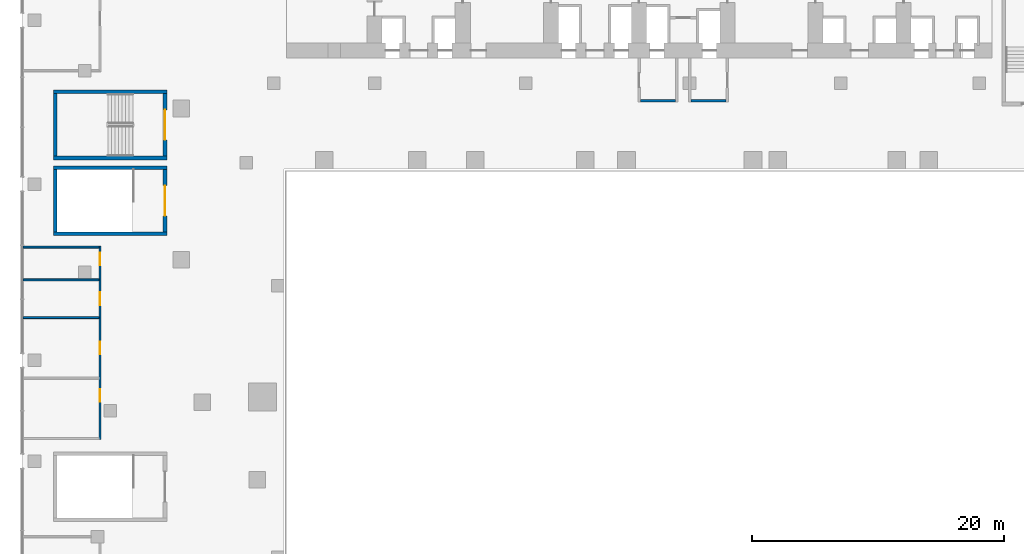
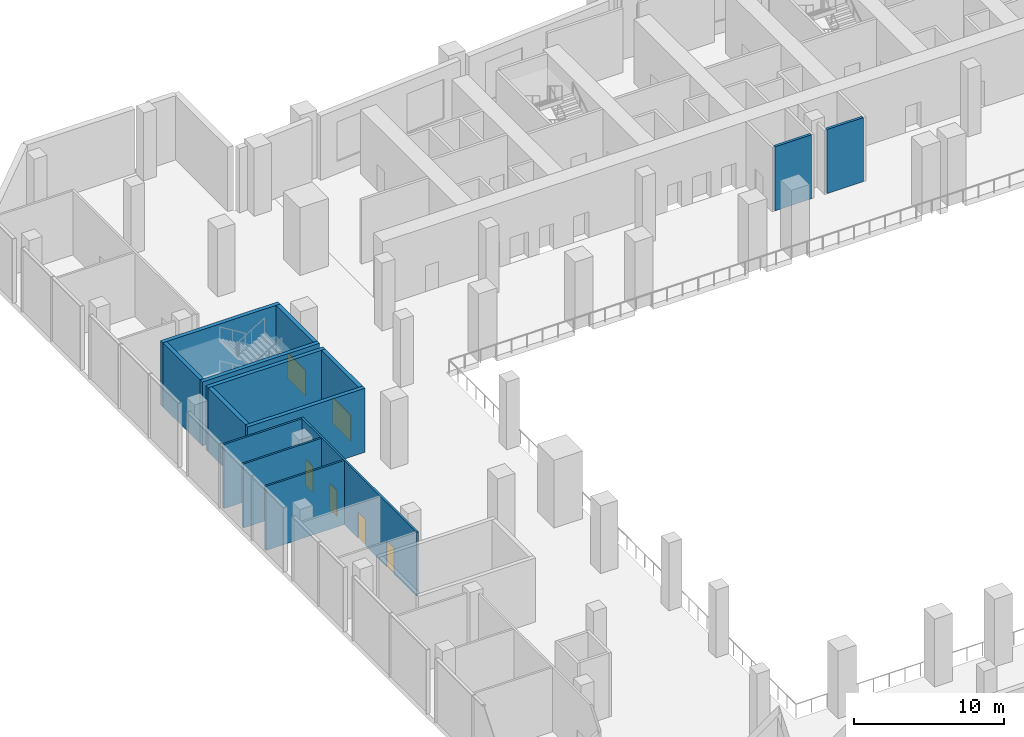
# One storey, part 12 of 25: 14 walls, 6 doors, 6 openings.
"""IFC4 building model written with IfcOpenShell, lengths in metres."""

from ifc_helpers import new_model, si_unit, direction, frame, frame_2d, origin, place, context, subcontext, project, spatial, rectangle, extrude, material, layer, layer_set, type_object, element, fill, save


model = new_model("IFC4")

# Units and contexts
model_context = context("Model", 3, precision=1e-05, world=origin(), true_north=direction((0.0, 1.0)))
body_context = subcontext(model_context, "Body", "Model", "MODEL_VIEW")
ifc_project = project(units=[si_unit("LENGTHUNIT", "METRE"), si_unit("AREAUNIT", "SQUARE_METRE"), si_unit("VOLUMEUNIT", "CUBIC_METRE"), si_unit("PLANEANGLEUNIT", "RADIAN"), si_unit("MASSUNIT", "GRAM", prefix="KILO")], contexts=[model_context])

# Site, building, storey
site_placement = place(None, origin())
site = spatial("IfcSite", under=ifc_project, at=site_placement, CompositionType="ELEMENT")
building_placement = place(site_placement, origin())
building = spatial("IfcBuilding", under=site, at=building_placement, Name="Wharfspan Tower", CompositionType="ELEMENT")
storey_placement = place(building_placement, frame((0.0, 0.0, 27.5)))
storey = spatial("IfcBuildingStorey", under=building, at=storey_placement, Name="L04", CompositionType="ELEMENT", Elevation=27.5)

# Walls
ifc_material_1 = material(Name="Concrete C30/37", Category="concrete")
ifc_layer_1 = layer(ifc_material_1, 0.199951)
ifc_layer_set_1 = layer_set([ifc_layer_1], Name="Concrete C30/37")
wall_type_1 = type_object("IfcWallType", Name="Lobby wall 200", PredefinedType="PARTITIONING", material=ifc_layer_set_1)
for number, where, z_axis, x_axis, name in (
    (1, (37.100098, 30.600098, 0.0), (0.0, 0.0, 1.0), (1.0, 0.0, 0.0), "sw:L04:FLFF1F"),
    (2, (41.100098, 30.600098, 0.0), (0.0, 0.0, 1.0), (1.0, 0.0, 0.0), "sw:L04:FLFF2F"),
):
    element("IfcWall", number, at=place(storey_placement, frame(where, z_axis=z_axis, x_axis=x_axis)), inside=storey, type_object=wall_type_1, Name=name, PredefinedType="PARTITIONING", context=body_context, shape_type="SweptSolid", body=[
        extrude(rectangle(XDim=2.799805, YDim=0.199951, at=frame_2d((1.399902, 0.0))), origin(), (0.0, 0.0, 1.0), 5.199951),
    ])

# Wall, openings, doors
ifc_material_2 = material(Name="Calcium silicate masonry", Category="masonry")
ifc_layer_2 = layer(ifc_material_2, 0.149902)
ifc_layer_set_2 = layer_set([ifc_layer_2], Name="Calcium silicate masonry")
wall_type_2 = type_object("IfcWallType", Name="Podium room wall 150", PredefinedType="PARTITIONING", material=ifc_layer_set_2)
wall_1_placement = place(storey_placement, frame((-5.800049, 3.725098, 0.0), z_axis=(0.0, 0.0, 1.0), x_axis=(0.0, 1.0, 0.0)))
wall_1 = element("IfcWall", 3, at=wall_1_placement, inside=storey, type_object=wall_type_2, Name="iw:L04:4", PredefinedType="PARTITIONING", context=body_context, shape_type="SweptSolid", body=[
    extrude(rectangle(XDim=15.349854, YDim=0.149902, at=frame_2d((7.674805, 0.0))), origin(), (0.0, 0.0, 1.0), 5.199951),
])
opening_1_placement = place(wall_1_placement, frame((2.995117, 0.0, 0.0)))
opening_1 = element("IfcOpeningElement", 4, at=opening_1_placement, cuts=wall_1, Name="Opening PD04.4", PredefinedType="OPENING", context=body_context, shape_type="SweptSolid", body=[
    extrude(rectangle(XDim=1.0, YDim=2.100098, at=frame_2d((0.5, 1.050049))), frame((0.0, 0.084961, 0.0), z_axis=(0.0, -1.0, 0.0), x_axis=(1.0, 0.0, 0.0)), (0.0, 0.0, 1.0), 0.169922),
])
opening_2_placement = place(wall_1_placement, frame((6.774902, 0.0, 0.0)))
opening_2 = element("IfcOpeningElement", 5, at=opening_2_placement, cuts=wall_1, Name="Opening PD04.5", PredefinedType="OPENING", context=body_context, shape_type="SweptSolid", body=[
    extrude(rectangle(XDim=1.0, YDim=2.100098, at=frame_2d((0.5, 1.050049))), frame((0.0, 0.084961, 0.0), z_axis=(0.0, -1.0, 0.0), x_axis=(1.0, 0.0, 0.0)), (0.0, 0.0, 1.0), 0.169922),
])
opening_3_placement = place(wall_1_placement, frame((10.675049, 0.0, 0.0)))
opening_3 = element("IfcOpeningElement", 6, at=opening_3_placement, cuts=wall_1, Name="Opening PD04.6", PredefinedType="OPENING", context=body_context, shape_type="SweptSolid", body=[
    extrude(rectangle(XDim=1.0, YDim=2.100098, at=frame_2d((0.5, 1.050049))), frame((0.0, 0.084961, 0.0), z_axis=(0.0, -1.0, 0.0), x_axis=(1.0, 0.0, 0.0)), (0.0, 0.0, 1.0), 0.169922),
])
opening_4_placement = place(wall_1_placement, frame((13.834961, 0.0, 0.0)))
opening_4 = element("IfcOpeningElement", 7, at=opening_4_placement, cuts=wall_1, Name="Opening PD04.7", PredefinedType="OPENING", context=body_context, shape_type="SweptSolid", body=[
    extrude(rectangle(XDim=1.0, YDim=2.100098, at=frame_2d((0.5, 1.050049))), frame((0.0, 0.084961, 0.0), z_axis=(0.0, -1.0, 0.0), x_axis=(1.0, 0.0, 0.0)), (0.0, 0.0, 1.0), 0.169922),
])
ifc_material_3 = material(Name="Steel door leaf", Category="steel")
door_type_1 = type_object("IfcDoorType", Name="Podium room door 1000x2100", OperationType="SINGLE_SWING_LEFT", PredefinedType="DOOR", material=ifc_material_3)
door_1_placement = place(opening_1_placement, origin())
door_1 = element("IfcDoor", 8, at=door_1_placement, inside=storey, type_object=door_type_1, Name="id:L04:4", OperationType="SINGLE_SWING_LEFT", OverallHeight=2.100098, OverallWidth=1.0, PredefinedType="DOOR", context=body_context, shape_type="SweptSolid", body=[
    extrude(rectangle(XDim=1.0, YDim=2.100098, at=frame_2d((0.5, 1.050049))), frame((0.0, 0.024902, 0.0), z_axis=(0.0, -1.0, 0.0), x_axis=(1.0, 0.0, 0.0)), (0.0, 0.0, 1.0), 0.050049),
])
fill(opening_1, door_1)
door_2_placement = place(opening_2_placement, origin())
door_2 = element("IfcDoor", 9, at=door_2_placement, inside=storey, type_object=door_type_1, Name="id:L04:5", OperationType="SINGLE_SWING_RIGHT", OverallHeight=2.100098, OverallWidth=1.0, PredefinedType="DOOR", context=body_context, shape_type="SweptSolid", body=[
    extrude(rectangle(XDim=1.0, YDim=2.100098, at=frame_2d((0.5, 1.050049))), frame((0.0, 0.024902, 0.0), z_axis=(0.0, -1.0, 0.0), x_axis=(1.0, 0.0, 0.0)), (0.0, 0.0, 1.0), 0.050049),
])
fill(opening_2, door_2)
door_3_placement = place(opening_3_placement, origin())
door_3 = element("IfcDoor", 10, at=door_3_placement, inside=storey, type_object=door_type_1, Name="id:L04:6", OperationType="SINGLE_SWING_LEFT", OverallHeight=2.100098, OverallWidth=1.0, PredefinedType="DOOR", context=body_context, shape_type="SweptSolid", body=[
    extrude(rectangle(XDim=1.0, YDim=2.100098, at=frame_2d((0.5, 1.050049))), frame((0.0, 0.024902, 0.0), z_axis=(0.0, -1.0, 0.0), x_axis=(1.0, 0.0, 0.0)), (0.0, 0.0, 1.0), 0.050049),
])
fill(opening_3, door_3)
door_4_placement = place(opening_4_placement, origin())
door_4 = element("IfcDoor", 11, at=door_4_placement, inside=storey, type_object=door_type_1, Name="id:L04:7", OperationType="SINGLE_SWING_RIGHT", OverallHeight=2.100098, OverallWidth=1.0, PredefinedType="DOOR", context=body_context, shape_type="SweptSolid", body=[
    extrude(rectangle(XDim=1.0, YDim=2.100098, at=frame_2d((0.5, 1.050049))), frame((0.0, 0.024902, 0.0), z_axis=(0.0, -1.0, 0.0), x_axis=(1.0, 0.0, 0.0)), (0.0, 0.0, 1.0), 0.050049),
])
fill(opening_4, door_4)

# Walls
for number, where, z_axis, x_axis, name in (
    (12, (-11.89502, 13.399902, 0.0), (0.0, 0.0, 1.0), (1.0, 0.0, 0.0), "iw:L04:12"),
    (13, (-11.89502, 16.399902, 0.0), (0.0, 0.0, 1.0), (1.0, 0.0, 0.0), "iw:L04:13"),
    (14, (-11.89502, 19.0, 0.0), (0.0, 0.0, 1.0), (1.0, 0.0, 0.0), "iw:L04:14"),
):
    element("IfcWall", number, at=place(storey_placement, frame(where, z_axis=z_axis, x_axis=x_axis)), inside=storey, type_object=wall_type_2, Name=name, PredefinedType="PARTITIONING", context=body_context, shape_type="SweptSolid", body=[
        extrude(rectangle(XDim=6.02002, YDim=0.149902, at=frame_2d((3.01001, 0.0))), origin(), (0.0, 0.0, 1.0), 5.199951),
    ])
ifc_material_4 = material(Name="Concrete C40/50", Category="concrete")
ifc_layer_3 = layer(ifc_material_4, 0.300049)
ifc_layer_set_3 = layer_set([ifc_layer_3], Name="Concrete C40/50")
wall_type_3 = type_object("IfcWallType", Name="Podium stair core wall 300", PredefinedType="SHEAR", material=ifc_layer_set_3)
for number, where, z_axis, x_axis, name in (
    (15, (-9.5, 20.050049, 0.0), (0.0, 0.0, 1.0), (1.0, 0.0, 0.0), "iw:L04:AS3S"),
    (16, (-9.5, 25.300049, 0.0), (0.0, 0.0, 1.0), (1.0, 0.0, 0.0), "iw:L04:AS3N"),
):
    element("IfcWall", number, at=place(storey_placement, frame(where, z_axis=z_axis, x_axis=x_axis)), inside=storey, type_object=wall_type_3, Name=name, PredefinedType="SHEAR", context=body_context, shape_type="SweptSolid", body=[
        extrude(rectangle(XDim=9.0, YDim=0.300049, at=frame_2d((4.5, 0.0))), origin(), (0.0, 0.0, 1.0), 5.199951),
    ])
wall_2_placement = place(storey_placement, frame((-9.350098, 20.199951, 0.0), z_axis=(0.0, 0.0, 1.0), x_axis=(0.0, 1.0, 0.0)))
element("IfcWall", 17, at=wall_2_placement, inside=storey, type_object=wall_type_3, Name="iw:L04:AS3W", PredefinedType="SHEAR", context=body_context, shape_type="SweptSolid", body=[
    extrude(rectangle(XDim=4.949951, YDim=0.300049, at=frame_2d((2.475098, 0.0))), origin(), (0.0, 0.0, 1.0), 5.199951),
])

# Wall, opening, door
wall_3_placement = place(storey_placement, frame((-0.649902, 20.199951, 0.0), z_axis=(0.0, 0.0, 1.0), x_axis=(0.0, 1.0, 0.0)))
wall_3 = element("IfcWall", 18, at=wall_3_placement, inside=storey, type_object=wall_type_3, Name="iw:L04:AS3E", PredefinedType="SHEAR", context=body_context, shape_type="SweptSolid", body=[
    extrude(rectangle(XDim=4.949951, YDim=0.300049, at=frame_2d((2.475098, 0.0))), origin(), (0.0, 0.0, 1.0), 5.199951),
])
opening_5_placement = place(wall_3_placement, frame((1.274902, 0.0, 0.0)))
opening_5 = element("IfcOpeningElement", 19, at=opening_5_placement, cuts=wall_3, Name="Opening SDAS3.L04", PredefinedType="OPENING", context=body_context, shape_type="SweptSolid", body=[
    extrude(rectangle(XDim=2.399902, YDim=2.100098, at=frame_2d((1.199951, 1.050049))), frame((0.0, 0.159912, 0.0), z_axis=(0.0, -1.0, 0.0), x_axis=(1.0, 0.0, 0.0)), (0.0, 0.0, 1.0), 0.320068),
])
door_type_2 = type_object("IfcDoorType", Name="Podium stair door 2400x2100", OperationType="DOUBLE_DOOR_SINGLE_SWING", PredefinedType="DOOR", material=ifc_material_3)
door_5_placement = place(opening_5_placement, origin())
door_5 = element("IfcDoor", 20, at=door_5_placement, inside=storey, type_object=door_type_2, Name="id:L04:AS3", OperationType="DOUBLE_DOOR_SINGLE_SWING", OverallHeight=2.100098, OverallWidth=2.399902, PredefinedType="DOOR", context=body_context, shape_type="SweptSolid", body=[
    extrude(rectangle(XDim=2.399902, YDim=2.100098, at=frame_2d((1.199951, 1.050049))), frame((0.0, 0.024902, 0.0), z_axis=(0.0, -1.0, 0.0), x_axis=(1.0, 0.0, 0.0)), (0.0, 0.0, 1.0), 0.050049),
])
fill(opening_5, door_5)

# Walls
for number, where, z_axis, x_axis, name in (
    (21, (-9.5, 26.074951, 0.0), (0.0, 0.0, 1.0), (1.0, 0.0, 0.0), "iw:L04:PS3S"),
    (22, (-9.5, 31.324951, 0.0), (0.0, 0.0, 1.0), (1.0, 0.0, 0.0), "iw:L04:PS3N"),
):
    element("IfcWall", number, at=place(storey_placement, frame(where, z_axis=z_axis, x_axis=x_axis)), inside=storey, type_object=wall_type_3, Name=name, PredefinedType="SHEAR", context=body_context, shape_type="SweptSolid", body=[
        extrude(rectangle(XDim=9.0, YDim=0.300049, at=frame_2d((4.5, 0.0))), origin(), (0.0, 0.0, 1.0), 5.199951),
    ])
wall_4_placement = place(storey_placement, frame((-9.350098, 26.225098, 0.0), z_axis=(0.0, 0.0, 1.0), x_axis=(0.0, 1.0, 0.0)))
element("IfcWall", 23, at=wall_4_placement, inside=storey, type_object=wall_type_3, Name="iw:L04:PS3W", PredefinedType="SHEAR", context=body_context, shape_type="SweptSolid", body=[
    extrude(rectangle(XDim=4.949951, YDim=0.300049, at=frame_2d((2.475098, 0.0))), origin(), (0.0, 0.0, 1.0), 5.199951),
])

# Wall, opening, door
wall_5_placement = place(storey_placement, frame((-0.649902, 26.225098, 0.0), z_axis=(0.0, 0.0, 1.0), x_axis=(0.0, 1.0, 0.0)))
wall_5 = element("IfcWall", 24, at=wall_5_placement, inside=storey, type_object=wall_type_3, Name="iw:L04:PS3E", PredefinedType="SHEAR", context=body_context, shape_type="SweptSolid", body=[
    extrude(rectangle(XDim=4.949951, YDim=0.300049, at=frame_2d((2.475098, 0.0))), origin(), (0.0, 0.0, 1.0), 5.199951),
])
opening_6_placement = place(wall_5_placement, frame((1.274902, 0.0, 0.0)))
opening_6 = element("IfcOpeningElement", 25, at=opening_6_placement, cuts=wall_5, Name="Opening SDPS3.L04", PredefinedType="OPENING", context=body_context, shape_type="SweptSolid", body=[
    extrude(rectangle(XDim=2.399902, YDim=2.100098, at=frame_2d((1.199951, 1.050049))), frame((0.0, 0.159912, 0.0), z_axis=(0.0, -1.0, 0.0), x_axis=(1.0, 0.0, 0.0)), (0.0, 0.0, 1.0), 0.320068),
])
door_6_placement = place(opening_6_placement, origin())
door_6 = element("IfcDoor", 26, at=door_6_placement, inside=storey, type_object=door_type_2, Name="id:L04:PS3", OperationType="DOUBLE_DOOR_SINGLE_SWING", OverallHeight=2.100098, OverallWidth=2.399902, PredefinedType="DOOR", context=body_context, shape_type="SweptSolid", body=[
    extrude(rectangle(XDim=2.399902, YDim=2.100098, at=frame_2d((1.199951, 1.050049))), frame((0.0, 0.024902, 0.0), z_axis=(0.0, -1.0, 0.0), x_axis=(1.0, 0.0, 0.0)), (0.0, 0.0, 1.0), 0.050049),
])
fill(opening_6, door_6)

save(model, "model.ifc")
